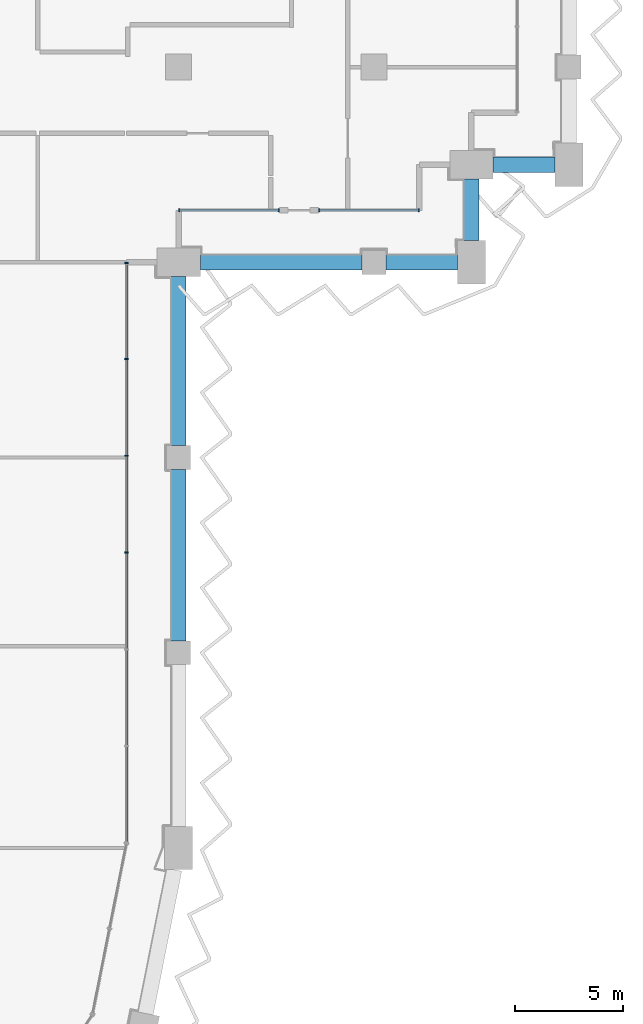
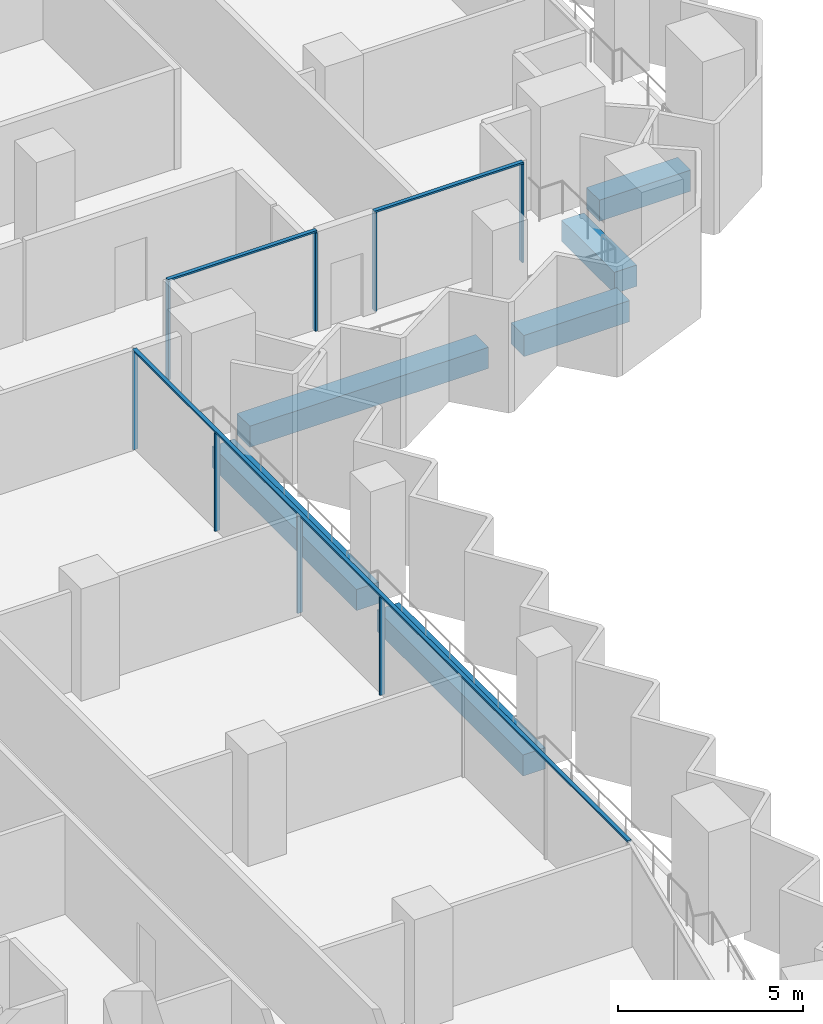
# One storey, part 4 of 23: 11 members, 6 beams, 3 elements without a shape of their own.
"""IFC4 building model written with IfcOpenShell, lengths in metres."""

from ifc_helpers import new_model, si_unit, direction, frame, origin, origin_2d, place, context, subcontext, project, spatial, rectangle, extrude, material, material_profile, profile_set, type_object, element, aggregate, save


model = new_model("IFC4")

# Units and contexts
model_context = context("Model", 3, precision=1e-05, world=origin(), true_north=direction((0.0, 1.0)))
body_context = subcontext(model_context, "Body", "Model", "MODEL_VIEW")
ifc_project = project(units=[si_unit("LENGTHUNIT", "METRE"), si_unit("AREAUNIT", "SQUARE_METRE"), si_unit("VOLUMEUNIT", "CUBIC_METRE"), si_unit("PLANEANGLEUNIT", "RADIAN"), si_unit("MASSUNIT", "GRAM", prefix="KILO")], contexts=[model_context])

# Site, building, storey
site_placement = place(None, origin())
site = spatial("IfcSite", under=ifc_project, at=site_placement, CompositionType="ELEMENT")
building_placement = place(site_placement, origin())
building = spatial("IfcBuilding", under=site, at=building_placement, Name="Hunhe Ridgeline Campus", CompositionType="ELEMENT")
storey_placement = place(building_placement, frame((0.0, 0.0, 148.60009765625)))
storey = spatial("IfcBuildingStorey", under=building, at=storey_placement, Name="L37", CompositionType="ELEMENT", Elevation=148.60009765625)

# Curtain wall, members
ifc_material_1 = material(Name="Aluminium 6063", Category="aluminium")
curtain_wall_type = type_object("IfcCurtainWallType", Name="Curtain wall CW-1", PredefinedType="NOTDEFINED", material=ifc_material_1)
curtain_wall_1_placement = place(storey_placement, origin())
curtain_wall_1 = element("IfcCurtainWall", 1, at=curtain_wall_1_placement, inside=storey, type_object=curtain_wall_type, Name="Curtain wall 11", PredefinedType="NOTDEFINED")
ifc_material_profile_1 = material_profile(ifc_material_1, rectangle(XDim=0.159912109375, YDim=0.06005859375, at=origin_2d()))
ifc_profile_set_1 = profile_set([ifc_material_profile_1], Name="Aluminium 6063")
member_type_1 = type_object("IfcMemberType", Name="CW-1 aluminium mullion", PredefinedType="MULLION", material=ifc_profile_set_1)
member_1_placement = place(storey_placement, frame((42.59912109375, 40.618408203125, 0.0), z_axis=(0.0, 0.0, 1.0), x_axis=(-0.99999999999, 4.408911e-06, 0.0)))
member_1 = element("IfcMember", 2, at=member_1_placement, type_object=member_type_1, Name="CW-1 mullion 4", PredefinedType="MULLION", context=body_context, shape_type="SweptSolid", body=[
    extrude(rectangle(XDim=0.159912109375, YDim=0.06005859375, at=origin_2d()), origin(), (0.0, 0.0, 1.0), 3.239990234375),
])
member_2_placement = place(storey_placement, frame((42.59912109375, 45.0791015625, 0.0), z_axis=(0.0, 0.0, 1.0), x_axis=(-0.99999999999, 4.408911e-06, 0.0)))
member_2 = element("IfcMember", 3, at=member_2_placement, type_object=member_type_1, Name="CW-1 mullion 5", PredefinedType="MULLION", context=body_context, shape_type="SweptSolid", body=[
    extrude(rectangle(XDim=0.159912109375, YDim=0.06005859375, at=origin_2d()), origin(), (0.0, 0.0, 1.0), 3.239990234375),
])
member_3_placement = place(storey_placement, frame((42.59912109375, 49.539794921875, 0.0), z_axis=(0.0, 0.0, 1.0), x_axis=(-0.99999999999, 4.408911e-06, 0.0)))
member_3 = element("IfcMember", 4, at=member_3_placement, type_object=member_type_1, Name="CW-1 mullion 6", PredefinedType="MULLION", context=body_context, shape_type="SweptSolid", body=[
    extrude(rectangle(XDim=0.159912109375, YDim=0.06005859375, at=origin_2d()), origin(), (0.0, 0.0, 1.0), 3.239990234375),
])
member_4_placement = place(storey_placement, frame((42.59912109375, 53.970458984375, 0.0), z_axis=(0.0, 0.0, 1.0), x_axis=(-0.99999999999, 4.408911e-06, 0.0)))
member_4 = element("IfcMember", 5, at=member_4_placement, type_object=member_type_1, Name="CW-1 mullion 7", PredefinedType="MULLION", context=body_context, shape_type="SweptSolid", body=[
    extrude(rectangle(XDim=0.159912109375, YDim=0.06005859375, at=origin_2d()), origin(), (0.0, 0.0, 1.0), 3.239990234375),
])

curtain_wall_2_placement = place(storey_placement, origin())
curtain_wall_2 = element("IfcCurtainWall", 6, at=curtain_wall_2_placement, inside=storey, type_object=curtain_wall_type, Name="Curtain wall 12", PredefinedType="NOTDEFINED")
member_5_placement = place(storey_placement, frame((45.02978515625, 56.40087890625, 0.0), z_axis=(0.0, 0.0, 1.0), x_axis=(-1.72058e-06, 0.999999999999, 0.0)))
member_5 = element("IfcMember", 7, at=member_5_placement, type_object=member_type_1, Name="CW-1 mullion 1", PredefinedType="MULLION", context=body_context, shape_type="SweptSolid", body=[
    extrude(rectangle(XDim=0.159912109375, YDim=0.06005859375, at=origin_2d()), origin(), (0.0, 0.0, 1.0), 3.239990234375),
])
member_6_placement = place(storey_placement, frame((49.619384765625, 56.40087890625, 0.0), z_axis=(0.0, 0.0, 1.0), x_axis=(-1.72058e-06, 0.999999999999, 0.0)))
member_6 = element("IfcMember", 8, at=member_6_placement, type_object=member_type_1, Name="CW-1 mullion 2", PredefinedType="MULLION", context=body_context, shape_type="SweptSolid", body=[
    extrude(rectangle(XDim=0.159912109375, YDim=0.06005859375, at=origin_2d()), origin(), (0.0, 0.0, 1.0), 3.239990234375),
])

curtain_wall_3_placement = place(storey_placement, origin())
curtain_wall_3 = element("IfcCurtainWall", 9, at=curtain_wall_3_placement, inside=storey, type_object=curtain_wall_type, Name="Curtain wall 13", PredefinedType="NOTDEFINED")
member_7_placement = place(storey_placement, frame((51.4794921875, 56.40087890625, 0.0), z_axis=(0.0, 0.0, 1.0), x_axis=(-1.72058e-06, 0.999999999999, 0.0)))
member_7 = element("IfcMember", 10, at=member_7_placement, type_object=member_type_1, Name="CW-1 mullion 1", PredefinedType="MULLION", context=body_context, shape_type="SweptSolid", body=[
    extrude(rectangle(XDim=0.159912109375, YDim=0.06005859375, at=origin_2d()), origin(), (0.0, 0.0, 1.0), 3.239990234375),
])
member_8_placement = place(storey_placement, frame((56.069091796875, 56.40087890625, 0.0), z_axis=(0.0, 0.0, 1.0), x_axis=(-1.72058e-06, 0.999999999999, 0.0)))
member_8 = element("IfcMember", 11, at=member_8_placement, type_object=member_type_1, Name="CW-1 mullion 2", PredefinedType="MULLION", context=body_context, shape_type="SweptSolid", body=[
    extrude(rectangle(XDim=0.159912109375, YDim=0.06005859375, at=origin_2d()), origin(), (0.0, 0.0, 1.0), 3.239990234375),
])

# Member
ifc_material_profile_2 = material_profile(ifc_material_1, rectangle(XDim=0.1201171875, YDim=0.06005859375, at=origin_2d()))
ifc_profile_set_2 = profile_set([ifc_material_profile_2], Name="Aluminium 6063")
member_type_2 = type_object("IfcMemberType", Name="CW-1 aluminium transom", PredefinedType="USERDEFINED", material=ifc_profile_set_2)
member_9_placement = place(storey_placement, frame((42.59912109375, 27.236572265625, 3.27001953125), z_axis=(0.0, 1.0, 0.0), x_axis=(-1.0, 0.0, 0.0)))
member_9 = element("IfcMember", 12, at=member_9_placement, type_object=member_type_2, Name="CW-1 transom 1", ObjectType="TRANSOM", PredefinedType="USERDEFINED", context=body_context, shape_type="SweptSolid", body=[
    extrude(rectangle(XDim=0.1201171875, YDim=0.06005859375, at=origin_2d()), origin(), (0.0, 0.0, 1.0), 26.763916015625),
])

aggregate(curtain_wall_1, [member_9, member_1, member_2, member_3, member_4])

member_10_placement = place(storey_placement, frame((44.999755859375, 56.40087890625, 3.27001953125), z_axis=(1.0, 0.0, 0.0), x_axis=(0.0, 1.0, 0.0)))
member_10 = element("IfcMember", 13, at=member_10_placement, type_object=member_type_2, Name="CW-1 transom 1", ObjectType="TRANSOM", PredefinedType="USERDEFINED", context=body_context, shape_type="SweptSolid", body=[
    extrude(rectangle(XDim=0.1201171875, YDim=0.06005859375, at=origin_2d()), origin(), (0.0, 0.0, 1.0), 4.649658203125),
])

aggregate(curtain_wall_2, [member_10, member_5, member_6])

member_11_placement = place(storey_placement, frame((51.449462890625, 56.40087890625, 3.27001953125), z_axis=(1.0, 0.0, 0.0), x_axis=(0.0, 1.0, 0.0)))
member_11 = element("IfcMember", 14, at=member_11_placement, type_object=member_type_2, Name="CW-1 transom 1", ObjectType="TRANSOM", PredefinedType="USERDEFINED", context=body_context, shape_type="SweptSolid", body=[
    extrude(rectangle(XDim=0.1201171875, YDim=0.06005859375, at=origin_2d()), origin(), (0.0, 0.0, 1.0), 4.649658203125),
])

aggregate(curtain_wall_3, [member_11, member_7, member_8])

# Beams
ifc_material_2 = material(Name="Concrete C60", Category="concrete")
ifc_material_profile_3 = material_profile(ifc_material_2, rectangle(XDim=0.699951171875, YDim=0.699951171875, at=origin_2d()))
ifc_profile_set_3 = profile_set([ifc_material_profile_3], Name="Concrete C60")
beam_type = type_object("IfcBeamType", Name="RC spandrel beam 700x700 Concrete C60", PredefinedType="SPANDREL", material=ifc_profile_set_3)
beam_1_placement = place(storey_placement, frame((45.0, 36.550048828125, -0.60009765625), z_axis=(0.0, 1.0, 0.0), x_axis=(-1.0, 0.0, 0.0)))
element("IfcBeam", 15, at=beam_1_placement, inside=storey, type_object=beam_type, Name="Spandrel beam B2-10 L37", PredefinedType="SPANDREL", context=body_context, shape_type="SweptSolid", body=[
    extrude(rectangle(XDim=0.699951171875, YDim=0.699951171875, at=origin_2d()), origin(), (0.0, 0.0, 1.0), 7.89990234375),
])
beam_2_placement = place(storey_placement, frame((45.0, 45.550048828125, -0.60009765625), z_axis=(0.0, 1.0, 0.0), x_axis=(-1.0, 0.0, 0.0)))
element("IfcBeam", 16, at=beam_2_placement, inside=storey, type_object=beam_type, Name="Spandrel beam B2-11 L37", PredefinedType="SPANDREL", context=body_context, shape_type="SweptSolid", body=[
    extrude(rectangle(XDim=0.699951171875, YDim=0.699951171875, at=origin_2d()), origin(), (0.0, 0.0, 1.0), 7.800048828125),
])
beam_3_placement = place(storey_placement, frame((46.0, 54.0, -0.60009765625), z_axis=(1.0, 0.0, 0.0), x_axis=(0.0, 1.0, 0.0)))
element("IfcBeam", 17, at=beam_3_placement, inside=storey, type_object=beam_type, Name="Spandrel beam B2-12 L37", PredefinedType="SPANDREL", context=body_context, shape_type="SweptSolid", body=[
    extrude(rectangle(XDim=0.699951171875, YDim=0.699951171875, at=origin_2d()), origin(), (0.0, 0.0, 1.0), 7.449951171875),
])
beam_4_placement = place(storey_placement, frame((54.550048828125, 54.0, -0.60009765625), z_axis=(1.0, 0.0, 0.0), x_axis=(0.0, 1.0, 0.0)))
element("IfcBeam", 18, at=beam_4_placement, inside=storey, type_object=beam_type, Name="Spandrel beam B2-13 L37", PredefinedType="SPANDREL", context=body_context, shape_type="SweptSolid", body=[
    extrude(rectangle(XDim=0.699951171875, YDim=0.699951171875, at=origin_2d()), origin(), (0.0, 0.0, 1.0), 3.300048828125),
])
for number, where, z_axis, x_axis, name in (
    (19, (58.5, 55.0, -0.60009765625), (0.0, 1.0, 0.0), (-1.0, 0.0, 0.0), "Spandrel beam B2-14 L37"),
    (20, (59.5, 58.5, -0.60009765625), (1.0, 0.0, 0.0), (0.0, 1.0, 0.0), "Spandrel beam B2-15 L37"),
):
    element("IfcBeam", number, at=place(storey_placement, frame(where, z_axis=z_axis, x_axis=x_axis)), inside=storey, type_object=beam_type, Name=name, PredefinedType="SPANDREL", context=body_context, shape_type="SweptSolid", body=[
        extrude(rectangle(XDim=0.699951171875, YDim=0.699951171875, at=origin_2d()), origin(), (0.0, 0.0, 1.0), 2.85009765625),
    ])

save(model, "model.ifc")
